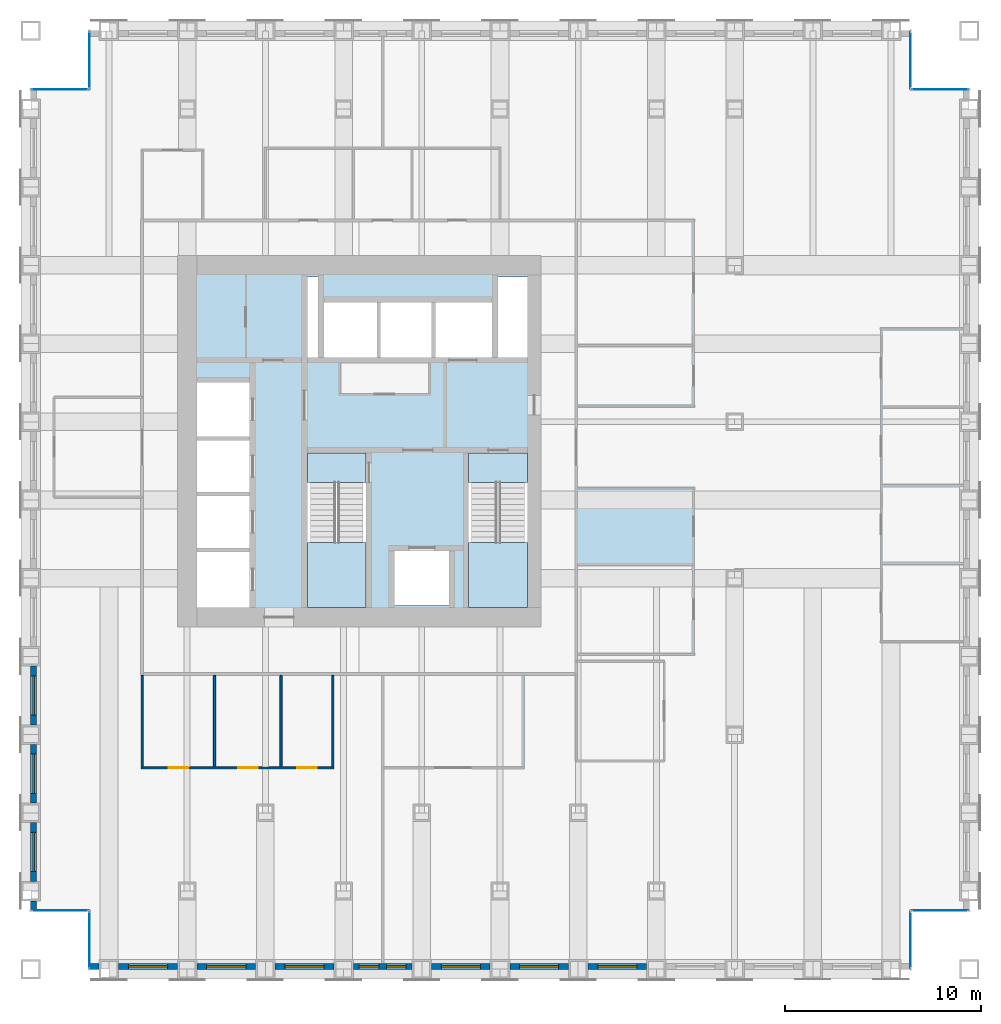
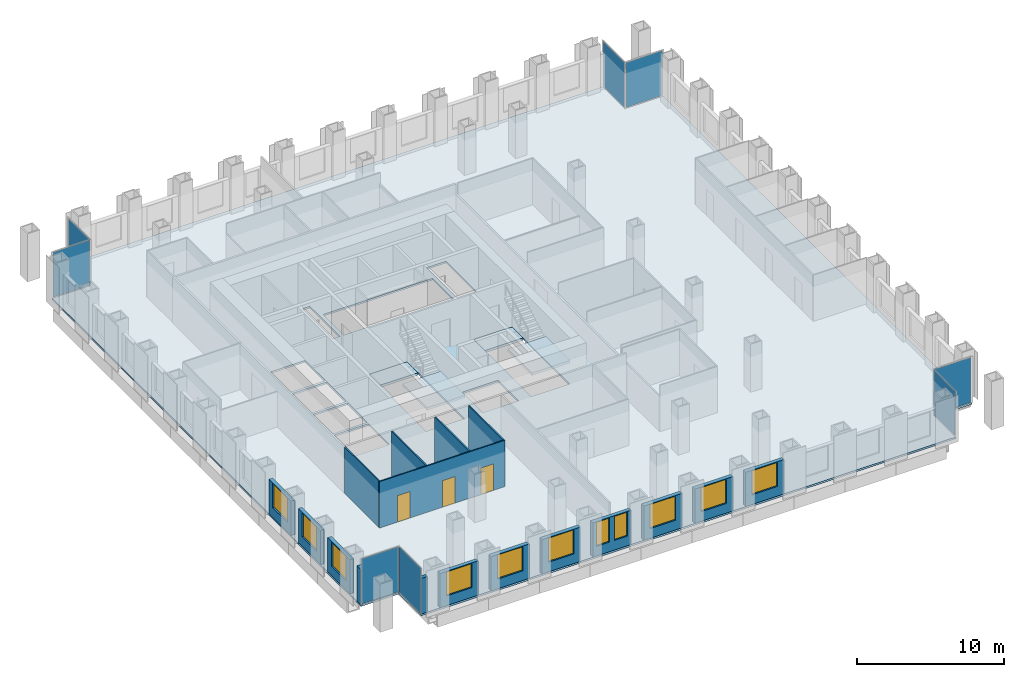
# One storey, part 10 of 16: 17 walls, 11 windows, 8 plates, 5 slabs, 3 doors, 14 openings, 10 elements without a shape of their own.
"""IFC4 building model written with IfcOpenShell, lengths in metres."""

from ifc_helpers import new_model, si_unit, direction, frame, frame_2d, origin, origin_2d, place, context, subcontext, project, spatial, polyline, rectangle, outline, extrude, material, layer, layer_set, type_object, element, fill, aggregate, save


model = new_model("IFC4")

# Units and contexts
model_context = context("Model", 3, precision=1e-05, world=origin(), true_north=direction((0.0, 1.0)))
body_context = subcontext(model_context, "Body", "Model", "MODEL_VIEW")
ifc_project = project(units=[si_unit("LENGTHUNIT", "METRE"), si_unit("AREAUNIT", "SQUARE_METRE"), si_unit("VOLUMEUNIT", "CUBIC_METRE"), si_unit("PLANEANGLEUNIT", "RADIAN"), si_unit("MASSUNIT", "GRAM", prefix="KILO")], contexts=[model_context])

# Site, building, storey
site_placement = place(None, origin())
site = spatial("IfcSite", under=ifc_project, at=site_placement, CompositionType="ELEMENT")
building_placement = place(site_placement, origin())
building = spatial("IfcBuilding", under=site, at=building_placement, Name="Rimbunsela Tower", CompositionType="ELEMENT")
storey_placement = place(building_placement, frame((0.0, 0.0, 85.39990234375)))
storey = spatial("IfcBuildingStorey", under=building, at=storey_placement, Name="L20", CompositionType="ELEMENT", Elevation=85.39990234375)

# Slab
ifc_material_1 = material(Name="Concrete fc' 35 MPa", Category="concrete")
ifc_layer_1 = layer(ifc_material_1, 0.14990234375)
ifc_layer_set_1 = layer_set([ifc_layer_1], Name="Floor slab 150")
slab_type_1 = type_object("IfcSlabType", Name="Floor slab 150", PredefinedType="FLOOR", material=ifc_layer_set_1)
slab_1_placement = place(storey_placement, frame((0.0, 0.0, -0.14990234375)))
element("IfcSlab", 1, at=slab_1_placement, inside=storey, type_object=slab_type_1, Name="Floor slab L20", PredefinedType="FLOOR", context=body_context, shape_type="SweptSolid", body=[
    extrude(outline(polyline([(13.0, 0.0), (55.0, 0.0), (55.0, 3.0), (58.0, 3.0), (58.0, 45.0), (55.0, 45.0), (55.0, 48.0), (13.0, 48.0), (13.0, 45.0), (10.0, 45.0), (10.0, 3.0), (13.0, 3.0), (13.0, 0.0)]), holes=[polyline([(21.199951171875, 21.35009765625), (18.5, 21.35009765625), (18.5, 18.5), (21.199951171875, 18.5), (21.199951171875, 21.35009765625)]), polyline([(21.199951171875, 21.550048828125), (21.199951171875, 24.199951171875), (18.5, 24.199951171875), (18.5, 21.550048828125), (21.199951171875, 21.550048828125)]), polyline([(21.199951171875, 27.050048828125), (18.5, 27.050048828125), (18.5, 24.39990234375), (21.199951171875, 24.39990234375), (21.199951171875, 27.050048828125)]), polyline([(21.199951171875, 27.25), (21.199951171875, 30.0), (18.5, 30.0), (18.5, 27.25), (21.199951171875, 27.25)]), polyline([(27.14990234375, 18.60009765625), (27.14990234375, 26.39990234375), (24.14990234375, 26.39990234375), (24.14990234375, 18.60009765625), (27.14990234375, 18.60009765625)]), polyline([(24.699951171875, 31.300048828125), (24.699951171875, 35.39990234375), (24.14990234375, 35.39990234375), (24.14990234375, 31.300048828125), (24.699951171875, 31.300048828125)]), polyline([(25.0, 34.10009765625), (25.0, 31.300048828125), (33.60009765625, 31.300048828125), (33.60009765625, 34.10009765625), (25.0, 34.10009765625)]), polyline([(31.39990234375, 21.39990234375), (28.60009765625, 21.39990234375), (28.60009765625, 18.60009765625), (31.39990234375, 18.60009765625), (31.39990234375, 21.39990234375)]), polyline([(35.39990234375, 18.60009765625), (35.39990234375, 26.39990234375), (32.39990234375, 26.39990234375), (32.39990234375, 18.60009765625), (35.39990234375, 18.60009765625)]), polyline([(35.39990234375, 31.300048828125), (35.39990234375, 35.39990234375), (33.89990234375, 35.39990234375), (33.89990234375, 31.300048828125), (35.39990234375, 31.300048828125)])]), origin(), (0.0, 0.0, 1.0), 0.14990234375),
])

# Curtain wall, plate
ifc_material_2 = material(Name="Aluminium curtain wall", Category="aluminium")
curtain_wall_type = type_object("IfcCurtainWallType", Name="Corner glazing", PredefinedType="USERDEFINED", material=ifc_material_2)
curtain_wall_1_placement = place(storey_placement, origin())
curtain_wall_1 = element("IfcCurtainWall", 2, at=curtain_wall_1_placement, inside=storey, type_object=curtain_wall_type, Name="Corner glazing L20", ObjectType="CORNER GLAZING", PredefinedType="USERDEFINED")
ifc_material_3 = material(Name="Clear double glazing", Category="glass")
ifc_layer_2 = layer(ifc_material_3, 0.028076171875)
ifc_layer_set_2 = layer_set([ifc_layer_2], Name="Glazed panel clear")
plate_type = type_object("IfcPlateType", Name="Glazed panel clear", PredefinedType="CURTAIN_PANEL", material=ifc_layer_set_2)
plate_1_placement = place(storey_placement, frame((55.0, 1.5, 0.06005859375), z_axis=(0.0, 0.0, 1.0), x_axis=(0.0, 1.0, 0.0)))
plate_1 = element("IfcPlate", 3, at=plate_1_placement, type_object=plate_type, Name="CW5 panel 1.1", PredefinedType="CURTAIN_PANEL", context=body_context, shape_type="SweptSolid", body=[
    extrude(rectangle(XDim=2.8798828125, YDim=0.028076171875, at=origin_2d()), origin(), (0.0, 0.0, 1.0), 3.72998046875),
])
aggregate(curtain_wall_1, [plate_1])

curtain_wall_2_placement = place(storey_placement, origin())
curtain_wall_2 = element("IfcCurtainWall", 4, at=curtain_wall_2_placement, inside=storey, type_object=curtain_wall_type, Name="Corner glazing L20", ObjectType="CORNER GLAZING", PredefinedType="USERDEFINED")
plate_2_placement = place(storey_placement, frame((56.5, 3.0, 0.06005859375), z_axis=(0.0, 0.0, 1.0), x_axis=(1.0, 0.0, 0.0)))
plate_2 = element("IfcPlate", 5, at=plate_2_placement, type_object=plate_type, Name="CW5 panel 1.1", PredefinedType="CURTAIN_PANEL", context=body_context, shape_type="SweptSolid", body=[
    extrude(rectangle(XDim=2.8798828125, YDim=0.028076171875, at=origin_2d()), origin(), (0.0, 0.0, 1.0), 3.72998046875),
])
aggregate(curtain_wall_2, [plate_2])

curtain_wall_3_placement = place(storey_placement, origin())
curtain_wall_3 = element("IfcCurtainWall", 6, at=curtain_wall_3_placement, inside=storey, type_object=curtain_wall_type, Name="Corner glazing L20", ObjectType="CORNER GLAZING", PredefinedType="USERDEFINED")
plate_3_placement = place(storey_placement, frame((56.5, 45.0, 0.06005859375), z_axis=(0.0, 0.0, 1.0), x_axis=(-1.0, 0.0, 0.0)))
plate_3 = element("IfcPlate", 7, at=plate_3_placement, type_object=plate_type, Name="CW5 panel 1.1", PredefinedType="CURTAIN_PANEL", context=body_context, shape_type="SweptSolid", body=[
    extrude(rectangle(XDim=2.8798828125, YDim=0.028076171875, at=origin_2d()), origin(), (0.0, 0.0, 1.0), 3.72998046875),
])
aggregate(curtain_wall_3, [plate_3])

curtain_wall_4_placement = place(storey_placement, origin())
curtain_wall_4 = element("IfcCurtainWall", 8, at=curtain_wall_4_placement, inside=storey, type_object=curtain_wall_type, Name="Corner glazing L20", ObjectType="CORNER GLAZING", PredefinedType="USERDEFINED")
plate_4_placement = place(storey_placement, frame((55.0, 46.5, 0.06005859375), z_axis=(0.0, 0.0, 1.0), x_axis=(0.0, 1.0, 0.0)))
plate_4 = element("IfcPlate", 9, at=plate_4_placement, type_object=plate_type, Name="CW5 panel 1.1", PredefinedType="CURTAIN_PANEL", context=body_context, shape_type="SweptSolid", body=[
    extrude(rectangle(XDim=2.8798828125, YDim=0.028076171875, at=origin_2d()), origin(), (0.0, 0.0, 1.0), 3.72998046875),
])
aggregate(curtain_wall_4, [plate_4])

curtain_wall_5_placement = place(storey_placement, origin())
curtain_wall_5 = element("IfcCurtainWall", 10, at=curtain_wall_5_placement, inside=storey, type_object=curtain_wall_type, Name="Corner glazing L20", ObjectType="CORNER GLAZING", PredefinedType="USERDEFINED")
plate_5_placement = place(storey_placement, frame((13.0, 46.5, 0.06005859375), z_axis=(0.0, 0.0, 1.0), x_axis=(0.0, -1.0, 0.0)))
plate_5 = element("IfcPlate", 11, at=plate_5_placement, type_object=plate_type, Name="CW5 panel 1.1", PredefinedType="CURTAIN_PANEL", context=body_context, shape_type="SweptSolid", body=[
    extrude(rectangle(XDim=2.8798828125, YDim=0.028076171875, at=origin_2d()), origin(), (0.0, 0.0, 1.0), 3.72998046875),
])
aggregate(curtain_wall_5, [plate_5])

curtain_wall_6_placement = place(storey_placement, origin())
curtain_wall_6 = element("IfcCurtainWall", 12, at=curtain_wall_6_placement, inside=storey, type_object=curtain_wall_type, Name="Corner glazing L20", ObjectType="CORNER GLAZING", PredefinedType="USERDEFINED")
plate_6_placement = place(storey_placement, frame((11.5, 45.0, 0.06005859375), z_axis=(0.0, 0.0, 1.0), x_axis=(-1.0, 0.0, 0.0)))
plate_6 = element("IfcPlate", 13, at=plate_6_placement, type_object=plate_type, Name="CW5 panel 1.1", PredefinedType="CURTAIN_PANEL", context=body_context, shape_type="SweptSolid", body=[
    extrude(rectangle(XDim=2.8798828125, YDim=0.028076171875, at=origin_2d()), origin(), (0.0, 0.0, 1.0), 3.72998046875),
])
aggregate(curtain_wall_6, [plate_6])

curtain_wall_7_placement = place(storey_placement, origin())
curtain_wall_7 = element("IfcCurtainWall", 14, at=curtain_wall_7_placement, inside=storey, type_object=curtain_wall_type, Name="Corner glazing L20", ObjectType="CORNER GLAZING", PredefinedType="USERDEFINED")
plate_7_placement = place(storey_placement, frame((11.5, 3.0, 0.06005859375), z_axis=(0.0, 0.0, 1.0), x_axis=(1.0, 0.0, 0.0)))
plate_7 = element("IfcPlate", 15, at=plate_7_placement, type_object=plate_type, Name="CW5 panel 1.1", PredefinedType="CURTAIN_PANEL", context=body_context, shape_type="SweptSolid", body=[
    extrude(rectangle(XDim=2.8798828125, YDim=0.028076171875, at=origin_2d()), origin(), (0.0, 0.0, 1.0), 3.72998046875),
])
aggregate(curtain_wall_7, [plate_7])

curtain_wall_8_placement = place(storey_placement, origin())
curtain_wall_8 = element("IfcCurtainWall", 16, at=curtain_wall_8_placement, inside=storey, type_object=curtain_wall_type, Name="Corner glazing L20", ObjectType="CORNER GLAZING", PredefinedType="USERDEFINED")
plate_8_placement = place(storey_placement, frame((13.0, 1.5, 0.06005859375), z_axis=(0.0, 0.0, 1.0), x_axis=(0.0, -1.0, 0.0)))
plate_8 = element("IfcPlate", 17, at=plate_8_placement, type_object=plate_type, Name="CW5 panel 1.1", PredefinedType="CURTAIN_PANEL", context=body_context, shape_type="SweptSolid", body=[
    extrude(rectangle(XDim=2.8798828125, YDim=0.028076171875, at=origin_2d()), origin(), (0.0, 0.0, 1.0), 3.72998046875),
])
aggregate(curtain_wall_8, [plate_8])

# Stair, slabs
ifc_material_4 = material(Name="Concrete fc' 35 MPa", Category="concrete")
stair_type = type_object("IfcStairType", Name="Exit stair 24 risers", PredefinedType="HALF_TURN_STAIR", material=ifc_material_4)
stair_1_placement = place(storey_placement, origin())
stair_1 = element("IfcStair", 18, at=stair_1_placement, inside=storey, type_object=stair_type, Name="Exit stair A L20", PredefinedType="HALF_TURN_STAIR")
ifc_material_5 = material(Name="Concrete fc' 35 MPa", Category="concrete")
ifc_layer_3 = layer(ifc_material_5, 0.199951171875)
ifc_layer_set_3 = layer_set([ifc_layer_3], Name="Stair landing 200")
slab_type_2 = type_object("IfcSlabType", Name="Stair landing 200", PredefinedType="LANDING", material=ifc_layer_set_3)
slab_2_placement = place(storey_placement, frame((0.0, 0.0, -0.199951171875)))
slab_2 = element("IfcSlab", 19, at=slab_2_placement, type_object=slab_type_2, Name="ST-A landing 1", PredefinedType="LANDING", context=body_context, shape_type="SweptSolid", body=[
    extrude(outline(polyline([(24.14990234375, 24.89990234375), (27.14990234375, 24.89990234375), (27.14990234375, 26.39990234375), (24.14990234375, 26.39990234375), (24.14990234375, 24.89990234375)])), origin(), (0.0, 0.0, 1.0), 0.199951171875),
])
slab_3_placement = place(storey_placement, frame((0.0, 0.0, 1.800048828125)))
slab_3 = element("IfcSlab", 20, at=slab_3_placement, type_object=slab_type_2, Name="ST-A landing 2", PredefinedType="LANDING", context=body_context, shape_type="SweptSolid", body=[
    extrude(outline(polyline([(24.14990234375, 18.5), (27.14990234375, 18.5), (27.14990234375, 21.820068359375), (24.14990234375, 21.820068359375), (24.14990234375, 18.5)])), origin(), (0.0, 0.0, 1.0), 0.199951171875),
])
aggregate(stair_1, [slab_2, slab_3])

stair_2_placement = place(storey_placement, origin())
stair_2 = element("IfcStair", 21, at=stair_2_placement, inside=storey, type_object=stair_type, Name="Exit stair B L20", PredefinedType="HALF_TURN_STAIR")
slab_4_placement = place(storey_placement, frame((0.0, 0.0, -0.199951171875)))
slab_4 = element("IfcSlab", 22, at=slab_4_placement, type_object=slab_type_2, Name="ST-B landing 1", PredefinedType="LANDING", context=body_context, shape_type="SweptSolid", body=[
    extrude(outline(polyline([(32.39990234375, 24.89990234375), (35.39990234375, 24.89990234375), (35.39990234375, 26.39990234375), (32.39990234375, 26.39990234375), (32.39990234375, 24.89990234375)])), origin(), (0.0, 0.0, 1.0), 0.199951171875),
])
slab_5_placement = place(storey_placement, frame((0.0, 0.0, 1.800048828125)))
slab_5 = element("IfcSlab", 23, at=slab_5_placement, type_object=slab_type_2, Name="ST-B landing 2", PredefinedType="LANDING", context=body_context, shape_type="SweptSolid", body=[
    extrude(outline(polyline([(32.39990234375, 18.5), (35.39990234375, 18.5), (35.39990234375, 21.820068359375), (32.39990234375, 21.820068359375), (32.39990234375, 18.5)])), origin(), (0.0, 0.0, 1.0), 0.199951171875),
])
aggregate(stair_2, [slab_4, slab_5])

# Wall, openings, doors
ifc_material_6 = material(Name="Gypsum board on steel studs", Category="steel")
ifc_layer_4 = layer(ifc_material_6, 0.10009765625)
ifc_layer_set_4 = layer_set([ifc_layer_4], Name="Office partition 100")
wall_type_1 = type_object("IfcWallType", Name="Office partition 100", PredefinedType="PARTITIONING", material=ifc_layer_set_4)
wall_1_placement = place(storey_placement, frame((15.64990234375, 10.300048828125, 0.0), z_axis=(0.0, 0.0, 1.0), x_axis=(1.0, 0.0, 0.0)))
wall_1 = element("IfcWall", 24, at=wall_1_placement, inside=storey, type_object=wall_type_1, Name="Office partition", PredefinedType="PARTITIONING", context=body_context, shape_type="SweptSolid", body=[
    extrude(rectangle(XDim=9.85009765625, YDim=0.10009765625, at=frame_2d((4.925048828125, 0.0))), origin(), (0.0, 0.0, 1.0), 3.85009765625),
])
opening_1_placement = place(wall_1_placement, frame((1.39990234375, 0.0, 0.0)))
opening_1 = element("IfcOpeningElement", 25, at=opening_1_placement, cuts=wall_1, Name="Opening D17", PredefinedType="OPENING", context=body_context, shape_type="SweptSolid", body=[
    extrude(rectangle(XDim=1.0, YDim=2.199951171875, at=frame_2d((0.5, 1.10009765625))), frame((0.0, 0.06005859375, 0.0), z_axis=(0.0, -1.0, 0.0), x_axis=(1.0, 0.0, 0.0)), (0.0, 0.0, 1.0), 0.1201171875),
])
opening_2_placement = place(wall_1_placement, frame((4.949951171875, 0.0, 0.0)))
opening_2 = element("IfcOpeningElement", 26, at=opening_2_placement, cuts=wall_1, Name="Opening D16", PredefinedType="OPENING", context=body_context, shape_type="SweptSolid", body=[
    extrude(rectangle(XDim=1.0, YDim=2.199951171875, at=frame_2d((0.5, 1.10009765625))), frame((0.0, 0.06005859375, 0.0), z_axis=(0.0, -1.0, 0.0), x_axis=(1.0, 0.0, 0.0)), (0.0, 0.0, 1.0), 0.1201171875),
])
opening_3_placement = place(wall_1_placement, frame((7.97509765625, 0.0, 0.0)))
opening_3 = element("IfcOpeningElement", 27, at=opening_3_placement, cuts=wall_1, Name="Opening D16", PredefinedType="OPENING", context=body_context, shape_type="SweptSolid", body=[
    extrude(rectangle(XDim=1.0, YDim=2.199951171875, at=frame_2d((0.5, 1.10009765625))), frame((0.0, 0.06005859375, 0.0), z_axis=(0.0, -1.0, 0.0), x_axis=(1.0, 0.0, 0.0)), (0.0, 0.0, 1.0), 0.1201171875),
])
ifc_material_7 = material(Name="Glazed aluminium door", Category="aluminium")
door_type_1 = type_object("IfcDoorType", Name="Meeting room door 1000 glazed", OperationType="SINGLE_SWING_RIGHT", PredefinedType="DOOR", material=ifc_material_7)
door_1_placement = place(opening_1_placement, origin())
door_1 = element("IfcDoor", 28, at=door_1_placement, inside=storey, type_object=door_type_1, Name="Meeting room door", OperationType="SINGLE_SWING_RIGHT", OverallHeight=2.199951171875, OverallWidth=1.0, PredefinedType="DOOR", context=body_context, shape_type="SweptSolid", body=[
    extrude(rectangle(XDim=1.0, YDim=2.199951171875, at=frame_2d((0.5, 1.10009765625))), frame((0.0, 0.02490234375, 0.0), z_axis=(0.0, -1.0, 0.0), x_axis=(1.0, 0.0, 0.0)), (0.0, 0.0, 1.0), 0.050048828125),
])
fill(opening_1, door_1)
ifc_material_8 = material(Name="Timber door", Category="wood")
door_type_2 = type_object("IfcDoorType", Name="Office door 1000", OperationType="SINGLE_SWING_LEFT", PredefinedType="DOOR", material=ifc_material_8)
door_2_placement = place(opening_2_placement, origin())
door_2 = element("IfcDoor", 29, at=door_2_placement, inside=storey, type_object=door_type_2, Name="Office door", OperationType="SINGLE_SWING_LEFT", OverallHeight=2.199951171875, OverallWidth=1.0, PredefinedType="DOOR", context=body_context, shape_type="SweptSolid", body=[
    extrude(rectangle(XDim=1.0, YDim=2.199951171875, at=frame_2d((0.5, 1.10009765625))), frame((0.0, 0.02490234375, 0.0), z_axis=(0.0, -1.0, 0.0), x_axis=(1.0, 0.0, 0.0)), (0.0, 0.0, 1.0), 0.050048828125),
])
fill(opening_2, door_2)
door_3_placement = place(opening_3_placement, origin())
door_3 = element("IfcDoor", 30, at=door_3_placement, inside=storey, type_object=door_type_2, Name="Office door", OperationType="SINGLE_SWING_LEFT", OverallHeight=2.199951171875, OverallWidth=1.0, PredefinedType="DOOR", context=body_context, shape_type="SweptSolid", body=[
    extrude(rectangle(XDim=1.0, YDim=2.199951171875, at=frame_2d((0.5, 1.10009765625))), frame((0.0, 0.02490234375, 0.0), z_axis=(0.0, -1.0, 0.0), x_axis=(1.0, 0.0, 0.0)), (0.0, 0.0, 1.0), 0.050048828125),
])
fill(opening_3, door_3)

# Walls
for number, where, z_axis, x_axis, name in (
    (31, (15.699951171875, 10.35009765625, 0.0), (0.0, 0.0, 1.0), (0.0, 1.0, 0.0), "Office partition"),
    (32, (19.39990234375, 10.35009765625, 0.0), (0.0, 0.0, 1.0), (0.0, 1.0, 0.0), "Office partition"),
    (33, (22.800048828125, 10.35009765625, 0.0), (0.0, 0.0, 1.0), (0.0, 1.0, 0.0), "Office partition"),
    (34, (25.449951171875, 10.35009765625, 0.0), (0.0, 0.0, 1.0), (0.0, 1.0, 0.0), "Office partition"),
):
    element("IfcWall", number, at=place(storey_placement, frame(where, z_axis=z_axis, x_axis=x_axis)), inside=storey, type_object=wall_type_1, Name=name, PredefinedType="PARTITIONING", context=body_context, shape_type="SweptSolid", body=[
        extrude(rectangle(XDim=4.6748046875, YDim=0.10009765625, at=frame_2d((2.33740234375, 0.0))), origin(), (0.0, 0.0, 1.0), 3.85009765625),
    ])
ifc_material_9 = material(Name="Precast concrete fc' 35 MPa", Category="concrete")
ifc_layer_5 = layer(ifc_material_9, 0.300048828125)
ifc_layer_set_5 = layer_set([ifc_layer_5], Name="Precast concrete fc' 35 MPa")
wall_type_2 = type_object("IfcWallType", Name="Precast facade panel 300", PredefinedType="ELEMENTEDWALL", material=ifc_layer_set_5)
wall_2_placement = place(storey_placement, frame((13.030029296875, 0.14990234375, 0.0), z_axis=(0.0, 0.0, 1.0), x_axis=(1.0, 0.0, 0.0)))
element("IfcWall", 35, at=wall_2_placement, inside=storey, type_object=wall_type_2, Name="Facade panel S L20", PredefinedType="ELEMENTEDWALL", context=body_context, shape_type="SweptSolid", body=[
    extrude(rectangle(XDim=0.469970703125, YDim=0.300048828125, at=frame_2d((0.23486328125, 0.0))), origin(), (0.0, 0.0, 1.0), 2.9501953125),
])

# Wall, opening, window
wall_3_placement = place(storey_placement, frame((14.5, 0.14990234375, 0.0), z_axis=(0.0, 0.0, 1.0), x_axis=(1.0, 0.0, 0.0)))
wall_3 = element("IfcWall", 36, at=wall_3_placement, inside=storey, type_object=wall_type_2, Name="Facade panel S L20", PredefinedType="ELEMENTEDWALL", context=body_context, shape_type="SweptSolid", body=[
    extrude(rectangle(XDim=3.0, YDim=0.300048828125, at=frame_2d((1.5, 0.0))), origin(), (0.0, 0.0, 1.0), 2.85009765625),
])
opening_4_placement = place(wall_3_placement, frame((0.5, 0.0, 0.800048828125)))
opening_4 = element("IfcOpeningElement", 37, at=opening_4_placement, cuts=wall_3, Name="Opening W1", PredefinedType="OPENING", context=body_context, shape_type="SweptSolid", body=[
    extrude(rectangle(XDim=2.0, YDim=2.0, at=frame_2d((1.0, 1.0))), frame((0.0, 0.159912109375, 0.0), z_axis=(0.0, -1.0, 0.0), x_axis=(1.0, 0.0, 0.0)), (0.0, 0.0, 1.0), 0.320068359375),
])
ifc_material_10 = material(Name="Clear glass in aluminium frame", Category="aluminium")
window_type_1 = type_object("IfcWindowType", Name="Window W1 2000x2000", PartitioningType="DOUBLE_PANEL_VERTICAL", PredefinedType="WINDOW", material=ifc_material_10)
window_1_placement = place(opening_4_placement, origin())
window_1 = element("IfcWindow", 38, at=window_1_placement, inside=storey, type_object=window_type_1, Name="Window L20", OverallHeight=2.0, OverallWidth=2.0, PartitioningType="SINGLE_PANEL", PredefinedType="WINDOW", context=body_context, shape_type="SweptSolid", body=[
    extrude(rectangle(XDim=2.0, YDim=2.0, at=frame_2d((1.0, 1.0))), frame((0.0, 0.030029296875, 0.0), z_axis=(0.0, -1.0, 0.0), x_axis=(1.0, 0.0, 0.0)), (0.0, 0.0, 1.0), 0.06005859375),
])
fill(opening_4, window_1)

wall_4_placement = place(storey_placement, frame((18.5, 0.14990234375, 0.0), z_axis=(0.0, 0.0, 1.0), x_axis=(1.0, 0.0, 0.0)))
wall_4 = element("IfcWall", 39, at=wall_4_placement, inside=storey, type_object=wall_type_2, Name="Facade panel S L20", PredefinedType="ELEMENTEDWALL", context=body_context, shape_type="SweptSolid", body=[
    extrude(rectangle(XDim=3.0, YDim=0.300048828125, at=frame_2d((1.5, 0.0))), origin(), (0.0, 0.0, 1.0), 2.85009765625),
])
opening_5_placement = place(wall_4_placement, frame((0.5, 0.0, 0.800048828125)))
opening_5 = element("IfcOpeningElement", 40, at=opening_5_placement, cuts=wall_4, Name="Opening W1", PredefinedType="OPENING", context=body_context, shape_type="SweptSolid", body=[
    extrude(rectangle(XDim=2.0, YDim=2.0, at=frame_2d((1.0, 1.0))), frame((0.0, 0.159912109375, 0.0), z_axis=(0.0, -1.0, 0.0), x_axis=(1.0, 0.0, 0.0)), (0.0, 0.0, 1.0), 0.320068359375),
])
window_2_placement = place(opening_5_placement, origin())
window_2 = element("IfcWindow", 41, at=window_2_placement, inside=storey, type_object=window_type_1, Name="Window L20", OverallHeight=2.0, OverallWidth=2.0, PartitioningType="SINGLE_PANEL", PredefinedType="WINDOW", context=body_context, shape_type="SweptSolid", body=[
    extrude(rectangle(XDim=2.0, YDim=2.0, at=frame_2d((1.0, 1.0))), frame((0.0, 0.030029296875, 0.0), z_axis=(0.0, -1.0, 0.0), x_axis=(1.0, 0.0, 0.0)), (0.0, 0.0, 1.0), 0.06005859375),
])
fill(opening_5, window_2)

wall_5_placement = place(storey_placement, frame((22.5, 0.14990234375, 0.0), z_axis=(0.0, 0.0, 1.0), x_axis=(1.0, 0.0, 0.0)))
wall_5 = element("IfcWall", 42, at=wall_5_placement, inside=storey, type_object=wall_type_2, Name="Facade panel S L20", PredefinedType="ELEMENTEDWALL", context=body_context, shape_type="SweptSolid", body=[
    extrude(rectangle(XDim=3.0, YDim=0.300048828125, at=frame_2d((1.5, 0.0))), origin(), (0.0, 0.0, 1.0), 2.85009765625),
])
opening_6_placement = place(wall_5_placement, frame((0.5, 0.0, 0.800048828125)))
opening_6 = element("IfcOpeningElement", 43, at=opening_6_placement, cuts=wall_5, Name="Opening W1", PredefinedType="OPENING", context=body_context, shape_type="SweptSolid", body=[
    extrude(rectangle(XDim=2.0, YDim=2.0, at=frame_2d((1.0, 1.0))), frame((0.0, 0.159912109375, 0.0), z_axis=(0.0, -1.0, 0.0), x_axis=(1.0, 0.0, 0.0)), (0.0, 0.0, 1.0), 0.320068359375),
])
window_3_placement = place(opening_6_placement, origin())
window_3 = element("IfcWindow", 44, at=window_3_placement, inside=storey, type_object=window_type_1, Name="Window L20", OverallHeight=2.0, OverallWidth=2.0, PartitioningType="SINGLE_PANEL", PredefinedType="WINDOW", context=body_context, shape_type="SweptSolid", body=[
    extrude(rectangle(XDim=2.0, YDim=2.0, at=frame_2d((1.0, 1.0))), frame((0.0, 0.030029296875, 0.0), z_axis=(0.0, -1.0, 0.0), x_axis=(1.0, 0.0, 0.0)), (0.0, 0.0, 1.0), 0.06005859375),
])
fill(opening_6, window_3)

# Wall, openings, windows
wall_6_placement = place(storey_placement, frame((26.5, 0.14990234375, 0.0), z_axis=(0.0, 0.0, 1.0), x_axis=(1.0, 0.0, 0.0)))
wall_6 = element("IfcWall", 45, at=wall_6_placement, inside=storey, type_object=wall_type_2, Name="Facade panel S L20", PredefinedType="ELEMENTEDWALL", context=body_context, shape_type="SweptSolid", body=[
    extrude(rectangle(XDim=3.0, YDim=0.300048828125, at=frame_2d((1.5, 0.0))), origin(), (0.0, 0.0, 1.0), 2.85009765625),
])
opening_7_placement = place(wall_6_placement, frame((0.300048828125, 0.0, 0.800048828125)))
opening_7 = element("IfcOpeningElement", 46, at=opening_7_placement, cuts=wall_6, Name="Opening W5", PredefinedType="OPENING", context=body_context, shape_type="SweptSolid", body=[
    extrude(rectangle(XDim=1.0, YDim=2.0, at=frame_2d((0.5, 1.0))), frame((0.0, 0.159912109375, 0.0), z_axis=(0.0, -1.0, 0.0), x_axis=(1.0, 0.0, 0.0)), (0.0, 0.0, 1.0), 0.320068359375),
])
opening_8_placement = place(wall_6_placement, frame((1.699951171875, 0.0, 0.800048828125)))
opening_8 = element("IfcOpeningElement", 47, at=opening_8_placement, cuts=wall_6, Name="Opening W5", PredefinedType="OPENING", context=body_context, shape_type="SweptSolid", body=[
    extrude(rectangle(XDim=1.0, YDim=2.0, at=frame_2d((0.5, 1.0))), frame((0.0, 0.159912109375, 0.0), z_axis=(0.0, -1.0, 0.0), x_axis=(1.0, 0.0, 0.0)), (0.0, 0.0, 1.0), 0.320068359375),
])
ifc_material_11 = material(Name="Clear glass in aluminium frame", Category="aluminium")
window_type_2 = type_object("IfcWindowType", Name="Window W5 1000x2000", PartitioningType="SINGLE_PANEL", PredefinedType="WINDOW", material=ifc_material_11)
window_4_placement = place(opening_7_placement, origin())
window_4 = element("IfcWindow", 48, at=window_4_placement, inside=storey, type_object=window_type_2, Name="Window L20", OverallHeight=2.0, OverallWidth=1.0, PartitioningType="SINGLE_PANEL", PredefinedType="WINDOW", context=body_context, shape_type="SweptSolid", body=[
    extrude(rectangle(XDim=1.0, YDim=2.0, at=frame_2d((0.5, 1.0))), frame((0.0, 0.030029296875, 0.0), z_axis=(0.0, -1.0, 0.0), x_axis=(1.0, 0.0, 0.0)), (0.0, 0.0, 1.0), 0.06005859375),
])
fill(opening_7, window_4)
window_5_placement = place(opening_8_placement, origin())
window_5 = element("IfcWindow", 49, at=window_5_placement, inside=storey, type_object=window_type_2, Name="Window L20", OverallHeight=2.0, OverallWidth=1.0, PartitioningType="SINGLE_PANEL", PredefinedType="WINDOW", context=body_context, shape_type="SweptSolid", body=[
    extrude(rectangle(XDim=1.0, YDim=2.0, at=frame_2d((0.5, 1.0))), frame((0.0, 0.030029296875, 0.0), z_axis=(0.0, -1.0, 0.0), x_axis=(1.0, 0.0, 0.0)), (0.0, 0.0, 1.0), 0.06005859375),
])
fill(opening_8, window_5)

# Wall, opening, window
wall_7_placement = place(storey_placement, frame((30.5, 0.14990234375, 0.0), z_axis=(0.0, 0.0, 1.0), x_axis=(1.0, 0.0, 0.0)))
wall_7 = element("IfcWall", 50, at=wall_7_placement, inside=storey, type_object=wall_type_2, Name="Facade panel S L20", PredefinedType="ELEMENTEDWALL", context=body_context, shape_type="SweptSolid", body=[
    extrude(rectangle(XDim=3.0, YDim=0.300048828125, at=frame_2d((1.5, 0.0))), origin(), (0.0, 0.0, 1.0), 2.85009765625),
])
opening_9_placement = place(wall_7_placement, frame((0.5, 0.0, 0.800048828125)))
opening_9 = element("IfcOpeningElement", 51, at=opening_9_placement, cuts=wall_7, Name="Opening W1", PredefinedType="OPENING", context=body_context, shape_type="SweptSolid", body=[
    extrude(rectangle(XDim=2.0, YDim=2.0, at=frame_2d((1.0, 1.0))), frame((0.0, 0.159912109375, 0.0), z_axis=(0.0, -1.0, 0.0), x_axis=(1.0, 0.0, 0.0)), (0.0, 0.0, 1.0), 0.320068359375),
])
window_6_placement = place(opening_9_placement, origin())
window_6 = element("IfcWindow", 52, at=window_6_placement, inside=storey, type_object=window_type_1, Name="Window L20", OverallHeight=2.0, OverallWidth=2.0, PartitioningType="SINGLE_PANEL", PredefinedType="WINDOW", context=body_context, shape_type="SweptSolid", body=[
    extrude(rectangle(XDim=2.0, YDim=2.0, at=frame_2d((1.0, 1.0))), frame((0.0, 0.030029296875, 0.0), z_axis=(0.0, -1.0, 0.0), x_axis=(1.0, 0.0, 0.0)), (0.0, 0.0, 1.0), 0.06005859375),
])
fill(opening_9, window_6)

wall_8_placement = place(storey_placement, frame((34.5, 0.14990234375, 0.0), z_axis=(0.0, 0.0, 1.0), x_axis=(1.0, 0.0, 0.0)))
wall_8 = element("IfcWall", 53, at=wall_8_placement, inside=storey, type_object=wall_type_2, Name="Facade panel S L20", PredefinedType="ELEMENTEDWALL", context=body_context, shape_type="SweptSolid", body=[
    extrude(rectangle(XDim=3.0, YDim=0.300048828125, at=frame_2d((1.5, 0.0))), origin(), (0.0, 0.0, 1.0), 2.85009765625),
])
opening_10_placement = place(wall_8_placement, frame((0.5, 0.0, 0.800048828125)))
opening_10 = element("IfcOpeningElement", 54, at=opening_10_placement, cuts=wall_8, Name="Opening W1", PredefinedType="OPENING", context=body_context, shape_type="SweptSolid", body=[
    extrude(rectangle(XDim=2.0, YDim=2.0, at=frame_2d((1.0, 1.0))), frame((0.0, 0.159912109375, 0.0), z_axis=(0.0, -1.0, 0.0), x_axis=(1.0, 0.0, 0.0)), (0.0, 0.0, 1.0), 0.320068359375),
])
window_7_placement = place(opening_10_placement, origin())
window_7 = element("IfcWindow", 55, at=window_7_placement, inside=storey, type_object=window_type_1, Name="Window L20", OverallHeight=2.0, OverallWidth=2.0, PartitioningType="SINGLE_PANEL", PredefinedType="WINDOW", context=body_context, shape_type="SweptSolid", body=[
    extrude(rectangle(XDim=2.0, YDim=2.0, at=frame_2d((1.0, 1.0))), frame((0.0, 0.030029296875, 0.0), z_axis=(0.0, -1.0, 0.0), x_axis=(1.0, 0.0, 0.0)), (0.0, 0.0, 1.0), 0.06005859375),
])
fill(opening_10, window_7)

wall_9_placement = place(storey_placement, frame((38.5, 0.14990234375, 0.0), z_axis=(0.0, 0.0, 1.0), x_axis=(1.0, 0.0, 0.0)))
wall_9 = element("IfcWall", 56, at=wall_9_placement, inside=storey, type_object=wall_type_2, Name="Facade panel S L20", PredefinedType="ELEMENTEDWALL", context=body_context, shape_type="SweptSolid", body=[
    extrude(rectangle(XDim=3.0, YDim=0.300048828125, at=frame_2d((1.5, 0.0))), origin(), (0.0, 0.0, 1.0), 2.85009765625),
])
opening_11_placement = place(wall_9_placement, frame((0.5, 0.0, 0.800048828125)))
opening_11 = element("IfcOpeningElement", 57, at=opening_11_placement, cuts=wall_9, Name="Opening W1", PredefinedType="OPENING", context=body_context, shape_type="SweptSolid", body=[
    extrude(rectangle(XDim=2.0, YDim=2.0, at=frame_2d((1.0, 1.0))), frame((0.0, 0.159912109375, 0.0), z_axis=(0.0, -1.0, 0.0), x_axis=(1.0, 0.0, 0.0)), (0.0, 0.0, 1.0), 0.320068359375),
])
window_8_placement = place(opening_11_placement, origin())
window_8 = element("IfcWindow", 58, at=window_8_placement, inside=storey, type_object=window_type_1, Name="Window L20", OverallHeight=2.0, OverallWidth=2.0, PartitioningType="SINGLE_PANEL", PredefinedType="WINDOW", context=body_context, shape_type="SweptSolid", body=[
    extrude(rectangle(XDim=2.0, YDim=2.0, at=frame_2d((1.0, 1.0))), frame((0.0, 0.030029296875, 0.0), z_axis=(0.0, -1.0, 0.0), x_axis=(1.0, 0.0, 0.0)), (0.0, 0.0, 1.0), 0.06005859375),
])
fill(opening_11, window_8)

# Wall
wall_10_placement = place(storey_placement, frame((10.14990234375, 3.5, 0.0), z_axis=(0.0, 0.0, 1.0), x_axis=(0.0, -1.0, 0.0)))
element("IfcWall", 59, at=wall_10_placement, inside=storey, type_object=wall_type_2, Name="Facade panel W L20", PredefinedType="ELEMENTEDWALL", context=body_context, shape_type="SweptSolid", body=[
    extrude(rectangle(XDim=0.469970703125, YDim=0.300048828125, at=frame_2d((0.23486328125, 0.0))), origin(), (0.0, 0.0, 1.0), 2.9501953125),
])

# Wall, opening, window
wall_11_placement = place(storey_placement, frame((10.14990234375, 7.5, 0.0), z_axis=(0.0, 0.0, 1.0), x_axis=(0.0, -1.0, 0.0)))
wall_11 = element("IfcWall", 60, at=wall_11_placement, inside=storey, type_object=wall_type_2, Name="Facade panel W L20", PredefinedType="ELEMENTEDWALL", context=body_context, shape_type="SweptSolid", body=[
    extrude(rectangle(XDim=3.0, YDim=0.300048828125, at=frame_2d((1.5, 0.0))), origin(), (0.0, 0.0, 1.0), 2.85009765625),
])
opening_12_placement = place(wall_11_placement, frame((0.5, 0.0, 0.800048828125)))
opening_12 = element("IfcOpeningElement", 61, at=opening_12_placement, cuts=wall_11, Name="Opening W1", PredefinedType="OPENING", context=body_context, shape_type="SweptSolid", body=[
    extrude(rectangle(XDim=2.0, YDim=2.0, at=frame_2d((1.0, 1.0))), frame((0.0, 0.159912109375, 0.0), z_axis=(0.0, -1.0, 0.0), x_axis=(1.0, 0.0, 0.0)), (0.0, 0.0, 1.0), 0.320068359375),
])
window_9_placement = place(opening_12_placement, origin())
window_9 = element("IfcWindow", 62, at=window_9_placement, inside=storey, type_object=window_type_1, Name="Window L20", OverallHeight=2.0, OverallWidth=2.0, PartitioningType="SINGLE_PANEL", PredefinedType="WINDOW", context=body_context, shape_type="SweptSolid", body=[
    extrude(rectangle(XDim=2.0, YDim=2.0, at=frame_2d((1.0, 1.0))), frame((0.0, 0.030029296875, 0.0), z_axis=(0.0, -1.0, 0.0), x_axis=(1.0, 0.0, 0.0)), (0.0, 0.0, 1.0), 0.06005859375),
])
fill(opening_12, window_9)

wall_12_placement = place(storey_placement, frame((10.14990234375, 11.5, 0.0), z_axis=(0.0, 0.0, 1.0), x_axis=(0.0, -1.0, 0.0)))
wall_12 = element("IfcWall", 63, at=wall_12_placement, inside=storey, type_object=wall_type_2, Name="Facade panel W L20", PredefinedType="ELEMENTEDWALL", context=body_context, shape_type="SweptSolid", body=[
    extrude(rectangle(XDim=3.0, YDim=0.300048828125, at=frame_2d((1.5, 0.0))), origin(), (0.0, 0.0, 1.0), 2.85009765625),
])
opening_13_placement = place(wall_12_placement, frame((0.5, 0.0, 0.800048828125)))
opening_13 = element("IfcOpeningElement", 64, at=opening_13_placement, cuts=wall_12, Name="Opening W1", PredefinedType="OPENING", context=body_context, shape_type="SweptSolid", body=[
    extrude(rectangle(XDim=2.0, YDim=2.0, at=frame_2d((1.0, 1.0))), frame((0.0, 0.159912109375, 0.0), z_axis=(0.0, -1.0, 0.0), x_axis=(1.0, 0.0, 0.0)), (0.0, 0.0, 1.0), 0.320068359375),
])
window_10_placement = place(opening_13_placement, origin())
window_10 = element("IfcWindow", 65, at=window_10_placement, inside=storey, type_object=window_type_1, Name="Window L20", OverallHeight=2.0, OverallWidth=2.0, PartitioningType="SINGLE_PANEL", PredefinedType="WINDOW", context=body_context, shape_type="SweptSolid", body=[
    extrude(rectangle(XDim=2.0, YDim=2.0, at=frame_2d((1.0, 1.0))), frame((0.0, 0.030029296875, 0.0), z_axis=(0.0, -1.0, 0.0), x_axis=(1.0, 0.0, 0.0)), (0.0, 0.0, 1.0), 0.06005859375),
])
fill(opening_13, window_10)

wall_13_placement = place(storey_placement, frame((10.14990234375, 15.5, 0.0), z_axis=(0.0, 0.0, 1.0), x_axis=(0.0, -1.0, 0.0)))
wall_13 = element("IfcWall", 66, at=wall_13_placement, inside=storey, type_object=wall_type_2, Name="Facade panel W L20", PredefinedType="ELEMENTEDWALL", context=body_context, shape_type="SweptSolid", body=[
    extrude(rectangle(XDim=3.0, YDim=0.300048828125, at=frame_2d((1.5, 0.0))), origin(), (0.0, 0.0, 1.0), 2.85009765625),
])
opening_14_placement = place(wall_13_placement, frame((0.5, 0.0, 0.800048828125)))
opening_14 = element("IfcOpeningElement", 67, at=opening_14_placement, cuts=wall_13, Name="Opening W1", PredefinedType="OPENING", context=body_context, shape_type="SweptSolid", body=[
    extrude(rectangle(XDim=2.0, YDim=2.0, at=frame_2d((1.0, 1.0))), frame((0.0, 0.159912109375, 0.0), z_axis=(0.0, -1.0, 0.0), x_axis=(1.0, 0.0, 0.0)), (0.0, 0.0, 1.0), 0.320068359375),
])
window_11_placement = place(opening_14_placement, origin())
window_11 = element("IfcWindow", 68, at=window_11_placement, inside=storey, type_object=window_type_1, Name="Window L20", OverallHeight=2.0, OverallWidth=2.0, PartitioningType="SINGLE_PANEL", PredefinedType="WINDOW", context=body_context, shape_type="SweptSolid", body=[
    extrude(rectangle(XDim=2.0, YDim=2.0, at=frame_2d((1.0, 1.0))), frame((0.0, 0.030029296875, 0.0), z_axis=(0.0, -1.0, 0.0), x_axis=(1.0, 0.0, 0.0)), (0.0, 0.0, 1.0), 0.06005859375),
])
fill(opening_14, window_11)

save(model, "model.ifc")
